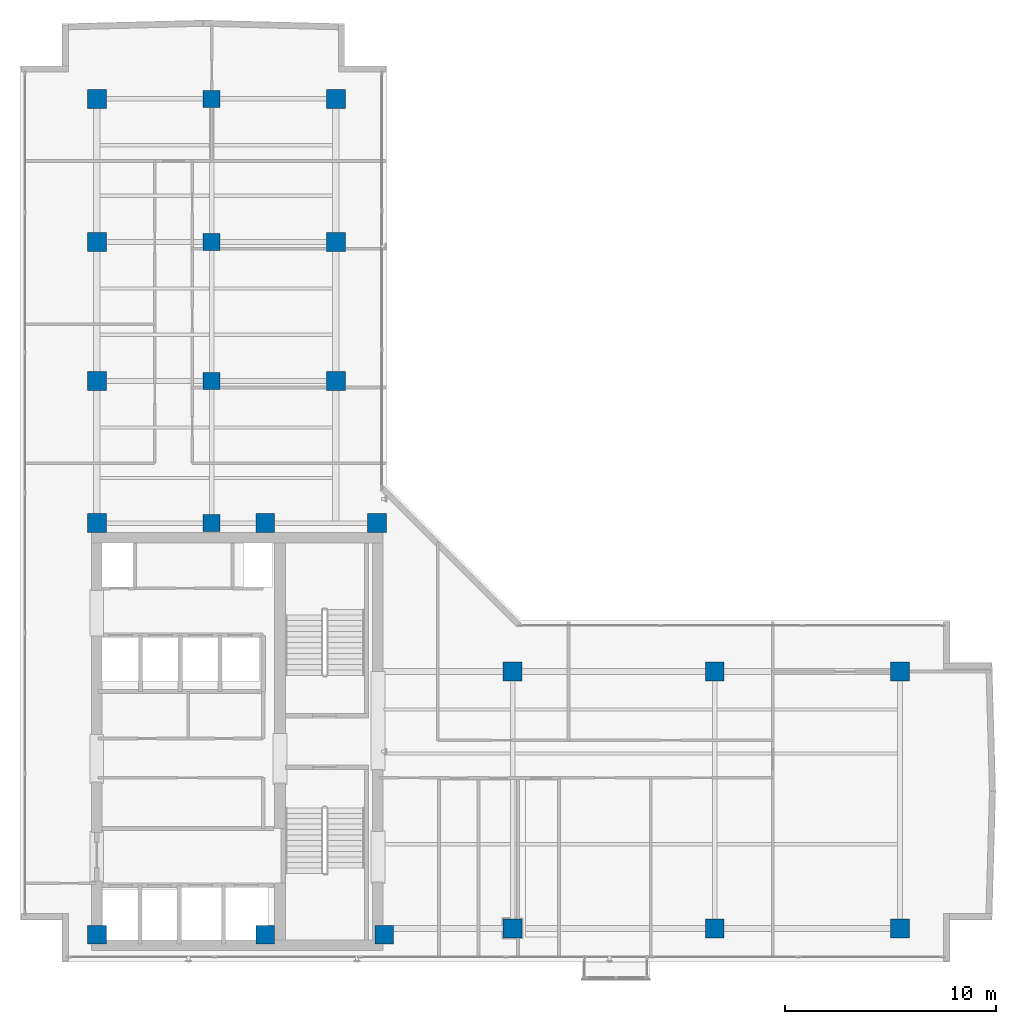
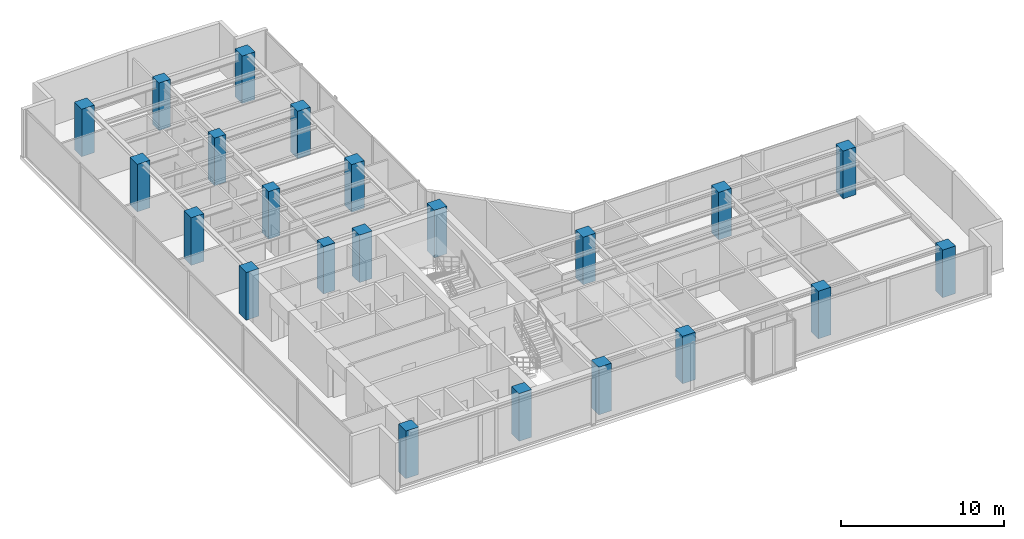
# One storey, part 1 of 22: 22 columns.
"""IFC4 building model written with IfcOpenShell, lengths in metres."""

import ifcopenshell
import ifcopenshell.guid

model = None  # the IFC model being written
_history = None  # IfcOwnerHistory: only IFC2X3 demands one
_inside = {}  # id of a spatial element -> (the spatial element, [elements in it])
_under = {}  # id of a project, library or spatial element -> (it, [spatial elements below it])
_declared = {}  # id of a project -> (the project, [libraries it declares])
_typed = {}  # id of a type object -> (the type object, [elements of that type])
_made_of = {}  # id of a material, layer set ... -> (it, [elements and type objects made of it])


def new_model(schema):
    """Start an empty IFC model of exactly this schema.

    Asked for "IFC4X3", IfcOpenShell would pick the latest addendum, in which some entities
    have other attributes; the version numbers below select the first issue.
    IFC2X3 requires an IfcOwnerHistory on every rooted entity: one is made here for all.
    """
    global model, _history
    if schema == "IFC4X3":
        model = ifcopenshell.file(schema_version=(4, 3, 0, 0))
    else:
        model = ifcopenshell.file(schema=schema)
    _inside.clear()
    _under.clear()
    _declared.clear()
    _typed.clear()
    _made_of.clear()
    _history = None
    if model.schema == "IFC2X3":
        org = make("IfcOrganization", Name="unknown")
        user = make(
            "IfcPersonAndOrganization",
            ThePerson=make("IfcPerson", FamilyName="unknown"),
            TheOrganization=org,
        )
        app = make(
            "IfcApplication",
            ApplicationDeveloper=org,
            Version="unknown",
            ApplicationFullName="unknown",
            ApplicationIdentifier="unknown",
        )
        _history = make(
            "IfcOwnerHistory",
            OwningUser=user,
            OwningApplication=app,
            ChangeAction="ADDED",
            CreationDate=0,
        )
    return model


def make(cls, **values):
    """One entity of the class cls with the attributes given. An attribute that is None is left unset."""
    return model.create_entity(
        cls, **{name: value for name, value in values.items() if value is not None}
    )


def rooted(cls, **values):
    """An entity with a GlobalId (a new one), such as an element, a storey or a relation."""
    return make(cls, GlobalId=ifcopenshell.guid.new(), OwnerHistory=_history, **values)


def si_unit(unit_type, name, prefix=None):
    """IfcSIUnit, for example si_unit("LENGTHUNIT", "METRE", prefix="MILLI")."""
    return make("IfcSIUnit", UnitType=unit_type, Prefix=prefix, Name=name)


def assignment(units):
    """IfcUnitAssignment: the units of a project."""
    return None if units is None else make("IfcUnitAssignment", Units=units)


def point(xyz):
    """IfcCartesianPoint."""
    return None if xyz is None else make("IfcCartesianPoint", Coordinates=xyz)


def direction(xyz):
    """IfcDirection."""
    return None if xyz is None else make("IfcDirection", DirectionRatios=xyz)


def frame(location, z_axis=None, x_axis=None):
    """IfcAxis2Placement3D, a coordinate frame: its origin and axes. An axis left out is left unset."""
    return make(
        "IfcAxis2Placement3D",
        Location=point(location),
        Axis=direction(z_axis),
        RefDirection=direction(x_axis),
    )


def frame_2d(location, x_axis=None):
    """IfcAxis2Placement2D, a coordinate frame in the plane: its origin and x axis."""
    return make(
        "IfcAxis2Placement2D", Location=point(location), RefDirection=direction(x_axis)
    )


def origin():
    """The frame at (0, 0, 0) with its axes left unset."""
    return frame((0.0, 0.0, 0.0))


def origin_2d():
    """The frame at (0, 0) in the plane with its x axis left unset."""
    return frame_2d((0.0, 0.0))


def place(relative_to, where):
    """IfcLocalPlacement: puts the frame where relative to a parent placement (None: the world)."""
    return make(
        "IfcLocalPlacement", PlacementRelTo=relative_to, RelativePlacement=where
    )


def context(
    kind, dimensions, precision=None, world=None, true_north=None, identifier=None
):
    """IfcGeometricRepresentationContext, for example the 3D "Model" context."""
    return make(
        "IfcGeometricRepresentationContext",
        ContextIdentifier=identifier,
        ContextType=kind,
        CoordinateSpaceDimension=dimensions,
        Precision=precision,
        WorldCoordinateSystem=world,
        TrueNorth=true_north,
    )


def subcontext(parent, identifier, kind, view, scale=None):
    """IfcGeometricRepresentationSubContext, for example "Body" below "Model"."""
    return make(
        "IfcGeometricRepresentationSubContext",
        ContextIdentifier=identifier,
        ContextType=kind,
        ParentContext=parent,
        TargetScale=scale,
        TargetView=view,
    )


def project(units=None, contexts=None):
    """IfcProject with its units and contexts."""
    return rooted(
        "IfcProject",
        Name="project",
        RepresentationContexts=contexts,
        UnitsInContext=assignment(units),
    )


def spatial(cls, under=None, at=None, **own):
    """A site, building, storey or space (cls), placed at a placement, below another one or the project."""
    s = rooted(cls, ObjectPlacement=at, **own)
    if under is not None:
        _under.setdefault(under.id(), (under, []))[1].append(s)
    return s


def profile(cls, at=None, kind="AREA", **sizes):
    """A parametric profile (cls). Its sizes go by their IFC names, for example OverallWidth=200.0."""
    return make(cls, ProfileType=kind, Position=at, **sizes)


def rectangle(**sizes):
    """IfcRectangleProfileDef."""
    return profile("IfcRectangleProfileDef", **sizes)


def extrude(swept, where, along, depth):
    """IfcExtrudedAreaSolid: the profile swept, set in the frame where, extruded along a direction by depth."""
    return make(
        "IfcExtrudedAreaSolid",
        SweptArea=swept,
        Position=where,
        ExtrudedDirection=direction(along),
        Depth=depth,
    )


def shape(context_of_items, identifier, shape_type, items):
    """IfcShapeRepresentation: the items that make up one representation, for example the "Body"."""
    return make(
        "IfcShapeRepresentation",
        ContextOfItems=context_of_items,
        RepresentationIdentifier=identifier,
        RepresentationType=shape_type,
        Items=items,
    )


def material(Name=None, Category=None):
    """IfcMaterial."""
    return make("IfcMaterial", Name=Name, Category=Category)


def material_profile(
    of_material, cross_section, Name=None, Category=None, Priority=None
):
    """IfcMaterialProfile: a cross section and its material."""
    return make(
        "IfcMaterialProfile",
        Name=Name,
        Material=of_material,
        Profile=cross_section,
        Priority=Priority,
        Category=Category,
    )


def profile_set(profiles, Name=None, composite=None):
    """IfcMaterialProfileSet."""
    return make(
        "IfcMaterialProfileSet",
        Name=Name,
        MaterialProfiles=profiles,
        CompositeProfile=composite,
    )


def made_of(thing, what):
    """Note that an element or type object is made of a material, layer set ...; save() writes the relation."""
    if what is not None:
        _made_of.setdefault(what.id(), (what, []))[1].append(thing)
    return thing


def type_object(cls, material=None, **own):
    """A type object (cls), such as IfcWallType, which elements share."""
    return made_of(rooted(cls, **own), material)


def element(
    cls,
    number,
    at=None,
    inside=None,
    cuts=None,
    type_object=None,
    material=None,
    context=None,
    identifier="Body",
    shape_type=None,
    held_by="IfcProductDefinitionShape",
    body=None,
    shapes=None,
    **own,
):
    """One element of the class cls, such as IfcWall. Its Tag is "e" and its number.

    at: its placement. inside: the storey or other place that contains it. cuts: it is an
    opening in that element (IfcRelVoidsElement). A single representation is given by context,
    identifier, shape_type and body (its items); several are given by shapes. held_by: the class
    of the entity that holds the representations. save() writes the other relations.
    """
    e = rooted(cls, Tag="e%d" % number, ObjectPlacement=at, **own)
    if body is not None:
        shapes = [shape(context, identifier, shape_type, body)]
    if shapes is not None:
        e.Representation = make(held_by, Representations=shapes)
    if inside is not None:
        _inside.setdefault(inside.id(), (inside, []))[1].append(e)
    if cuts is not None:
        rooted(
            "IfcRelVoidsElement", RelatingBuildingElement=cuts, RelatedOpeningElement=e
        )
    if type_object is not None:
        _typed.setdefault(type_object.id(), (type_object, []))[1].append(e)
    return made_of(e, material)


def aggregate(whole, parts):
    """IfcRelAggregates: a whole, such as a stair, and the parts it consists of."""
    return rooted("IfcRelAggregates", RelatingObject=whole, RelatedObjects=parts)


def save(model, path):
    """Write the relations noted so far, then the file.

    IfcRelAggregates (storeys below a building ...), IfcRelContainedInSpatialStructure (elements
    in a storey), IfcRelDefinesByType, IfcRelAssociatesMaterial and IfcRelDeclares: one each for
    every whole, place, type object, material and project.
    """
    for whole, parts in _under.values():
        aggregate(whole, parts)
    for where, things in _inside.values():
        rooted(
            "IfcRelContainedInSpatialStructure",
            RelatedElements=things,
            RelatingStructure=where,
        )
    for kind, things in _typed.values():
        rooted("IfcRelDefinesByType", RelatedObjects=things, RelatingType=kind)
    for what, things in _made_of.values():
        rooted("IfcRelAssociatesMaterial", RelatedObjects=things, RelatingMaterial=what)
    for by, libraries in _declared.values():
        rooted("IfcRelDeclares", RelatingContext=by, RelatedDefinitions=libraries)
    model.write(path)


model = new_model("IFC4")

# Units and contexts
model_context = context("Model", 3, precision=1e-05, world=origin(), true_north=direction((0.0, 1.0)))
body_context = subcontext(model_context, "Body", "Model", "MODEL_VIEW")
ifc_project = project(units=[si_unit("LENGTHUNIT", "METRE"), si_unit("AREAUNIT", "SQUARE_METRE"), si_unit("VOLUMEUNIT", "CUBIC_METRE"), si_unit("PLANEANGLEUNIT", "RADIAN"), si_unit("MASSUNIT", "GRAM", prefix="KILO")], contexts=[model_context])

# Site, building, storey
site_placement = place(None, origin())
site = spatial("IfcSite", under=ifc_project, at=site_placement, CompositionType="ELEMENT")
building_placement = place(site_placement, origin())
building = spatial("IfcBuilding", under=site, at=building_placement, Name="Kolvaren Waterfront Exchange", CompositionType="ELEMENT")
storey_placement = place(building_placement, frame((0.0, 0.0, 327.39990234375)))
storey = spatial("IfcBuildingStorey", under=building, at=storey_placement, Name="L84", CompositionType="ELEMENT", Elevation=327.39990234375)

# Columns
ifc_material = material(Name="Concrete C50/60", Category="concrete")
ifc_material_profile_1 = material_profile(ifc_material, rectangle(XDim=0.800048828125, YDim=0.800048828125, at=origin_2d()), Name="RC-COL-800x800")
ifc_profile_set_1 = profile_set([ifc_material_profile_1], Name="Concrete C50/60")
column_type_1 = type_object("IfcColumnType", Name="STR-COL-800-C50", PredefinedType="COLUMN", material=ifc_profile_set_1)
for number, where, z_axis, x_axis, name in (
    (1, (12.89990234375, 24.449951171875, 0.0), (0.0, 0.0, 1.0), (1.0, 0.0, 0.0), "L84 column TC01"),
    (2, (12.89990234375, 31.199951171875, 0.0), (0.0, 0.0, 1.0), (1.0, 0.0, 0.0), "L84 column TC02"),
    (3, (12.89990234375, 37.800048828125, 0.0), (0.0, 0.0, 1.0), (1.0, 0.0, 0.0), "L84 column TC03"),
    (4, (12.89990234375, 44.60009765625, 0.0), (0.0, 0.0, 1.0), (1.0, 0.0, 0.0), "L84 column TC04"),
):
    element("IfcColumn", number, at=place(storey_placement, frame(where, z_axis=z_axis, x_axis=x_axis)), inside=storey, type_object=column_type_1, Name=name, PredefinedType="COLUMN", context=body_context, shape_type="SweptSolid", body=[
        extrude(rectangle(XDim=0.800048828125, YDim=0.800048828125, at=origin_2d()), origin(), (0.0, 0.0, 1.0), 3.56005859375),
    ])
ifc_material_profile_2 = material_profile(ifc_material, rectangle(XDim=0.89990234375, YDim=0.89990234375, at=origin_2d()), Name="RC-COL-900x900")
ifc_profile_set_2 = profile_set([ifc_material_profile_2], Name="Concrete C50/60")
column_type_2 = type_object("IfcColumnType", Name="STR-COL-900-C50", PredefinedType="COLUMN", material=ifc_profile_set_2)
for number, where, z_axis, x_axis, name in (
    (5, (7.449951171875, 4.89990234375, 0.0), (0.0, 0.0, 1.0), (1.0, 0.0, 0.0), "L84 column MC01"),
    (6, (15.449951171875, 4.89990234375, 0.0), (0.0, 0.0, 1.0), (1.0, 0.0, 0.0), "L84 column MC02"),
    (7, (21.10009765625, 4.89990234375, 0.0), (0.0, 0.0, 1.0), (1.0, 0.0, 0.0), "L84 column MC03"),
    (8, (7.449951171875, 24.449951171875, 0.0), (0.0, 0.0, 1.0), (1.0, 0.0, 0.0), "L84 column MC04"),
    (9, (15.449951171875, 24.449951171875, 0.0), (0.0, 0.0, 1.0), (1.0, 0.0, 0.0), "L84 column MC05"),
    (10, (20.75, 24.449951171875, 0.0), (0.0, 0.0, 1.0), (1.0, 0.0, 0.0), "L84 column MC06"),
    (11, (7.449951171875, 31.199951171875, 0.0), (0.0, 0.0, 1.0), (1.0, 0.0, 0.0), "L84 column NC01"),
    (12, (7.449951171875, 37.800048828125, 0.0), (0.0, 0.0, 1.0), (1.0, 0.0, 0.0), "L84 column NC02"),
    (13, (7.449951171875, 44.60009765625, 0.0), (0.0, 0.0, 1.0), (1.0, 0.0, 0.0), "L84 column NC03"),
    (14, (18.800048828125, 31.199951171875, 0.0), (0.0, 0.0, 1.0), (1.0, 0.0, 0.0), "L84 column NC04"),
    (15, (18.800048828125, 37.800048828125, 0.0), (0.0, 0.0, 1.0), (1.0, 0.0, 0.0), "L84 column NC05"),
    (16, (18.800048828125, 44.60009765625, 0.0), (0.0, 0.0, 1.0), (1.0, 0.0, 0.0), "L84 column NC06"),
    (17, (27.199951171875, 5.199951171875, 0.0), (0.0, 0.0, 1.0), (1.0, 0.0, 0.0), "L84 column EC01"),
    (18, (36.800048828125, 5.199951171875, 0.0), (0.0, 0.0, 1.0), (1.0, 0.0, 0.0), "L84 column EC02"),
    (19, (45.60009765625, 5.199951171875, 0.0), (0.0, 0.0, 1.0), (1.0, 0.0, 0.0), "L84 column EC03"),
    (20, (27.199951171875, 17.39990234375, 0.0), (0.0, 0.0, 1.0), (1.0, 0.0, 0.0), "L84 column EC04"),
    (21, (36.800048828125, 17.39990234375, 0.0), (0.0, 0.0, 1.0), (1.0, 0.0, 0.0), "L84 column EC05"),
    (22, (45.60009765625, 17.39990234375, 0.0), (0.0, 0.0, 1.0), (1.0, 0.0, 0.0), "L84 column EC06"),
):
    element("IfcColumn", number, at=place(storey_placement, frame(where, z_axis=z_axis, x_axis=x_axis)), inside=storey, type_object=column_type_2, Name=name, PredefinedType="COLUMN", context=body_context, shape_type="SweptSolid", body=[
        extrude(rectangle(XDim=0.89990234375, YDim=0.89990234375, at=origin_2d()), origin(), (0.0, 0.0, 1.0), 3.56005859375),
    ])

save(model, "model.ifc")
